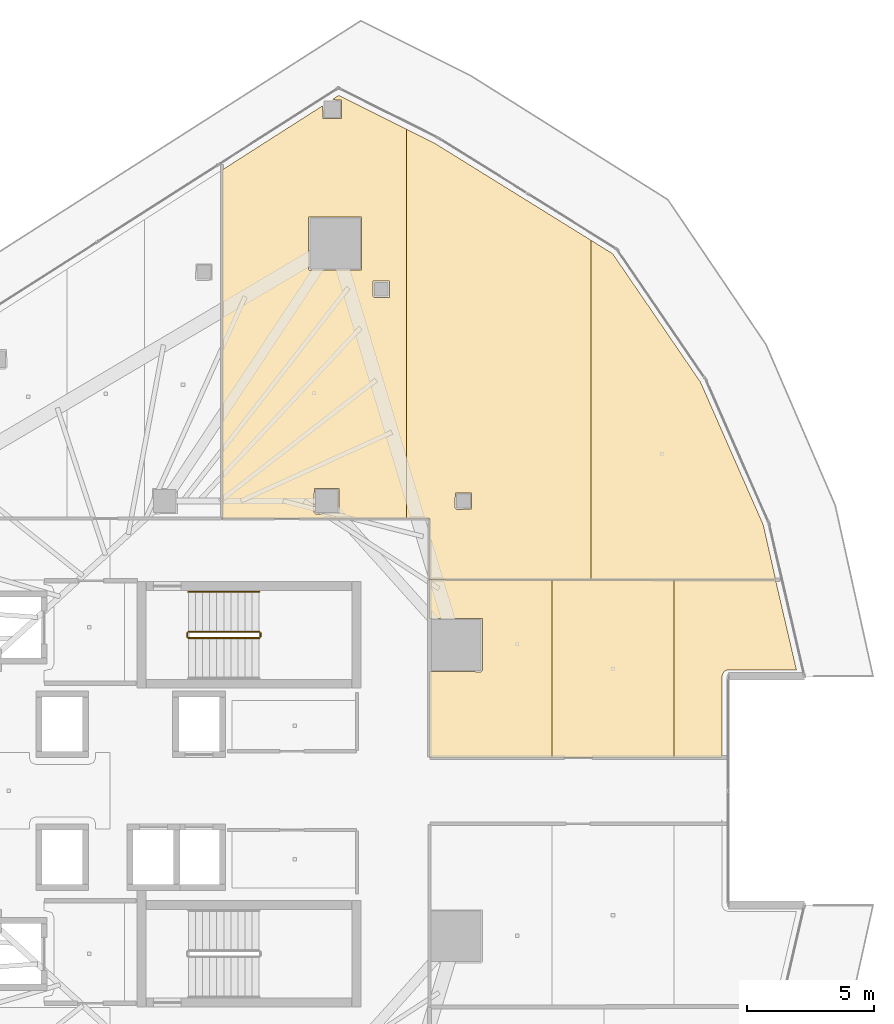
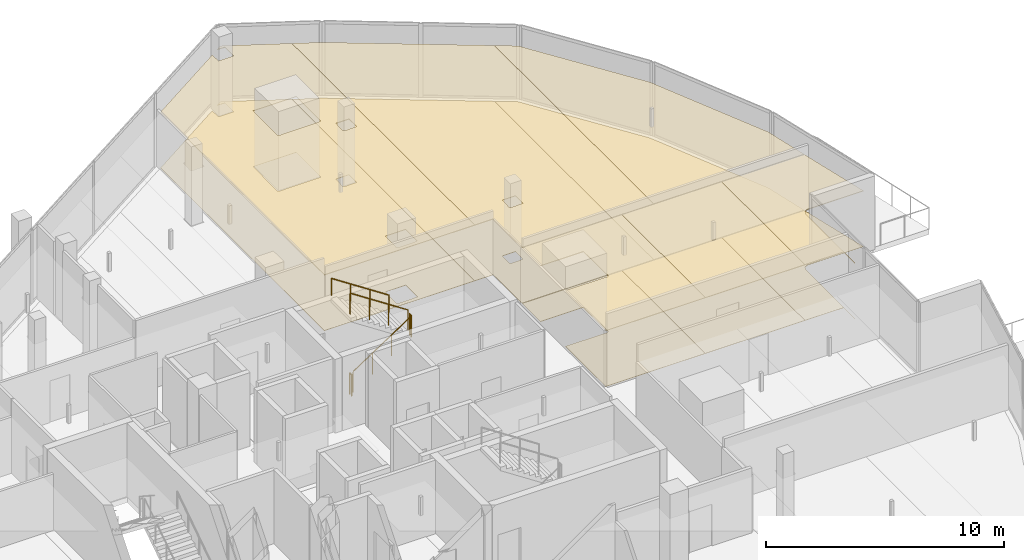
# One storey, part 36 of 36: 12 coverings, 5 railings.
"""IFC4 building model written with IfcOpenShell, lengths in metres."""

from ifc_helpers import new_model, si_unit, direction, frame, origin, origin_2d, place, context, subcontext, project, spatial, polyline, circle, outline, extrude, material, layer, layer_set, type_object, element, save


model = new_model("IFC4")

# Units and contexts
model_context = context("Model", 3, precision=1e-05, world=origin(), true_north=direction((0.0, 1.0)))
body_context = subcontext(model_context, "Body", "Model", "MODEL_VIEW")
ifc_project = project(units=[si_unit("LENGTHUNIT", "METRE"), si_unit("AREAUNIT", "SQUARE_METRE"), si_unit("VOLUMEUNIT", "CUBIC_METRE"), si_unit("PLANEANGLEUNIT", "RADIAN"), si_unit("MASSUNIT", "GRAM", prefix="KILO")], contexts=[model_context])

# Site, building, storey
site_placement = place(None, origin())
site = spatial("IfcSite", under=ifc_project, at=site_placement, CompositionType="ELEMENT")
building_placement = place(site_placement, origin())
building = spatial("IfcBuilding", under=site, at=building_placement, Name="Qorvath Tower", CompositionType="ELEMENT")
storey_placement = place(building_placement, frame((0.0, 0.0, 205.050048828125)))
storey = spatial("IfcBuildingStorey", under=building, at=storey_placement, Name="L47", CompositionType="ELEMENT", Elevation=205.050048828125)

# Coverings
ifc_material_1 = material(Name="Acoustic mineral fibre ceiling tile", Category="gypsum")
ifc_layer_1 = layer(ifc_material_1, 0.030029296875)
ifc_layer_set_1 = layer_set([ifc_layer_1], Name="COV-CEIL")
covering_type_1 = type_object("IfcCoveringType", Name="COV-CEIL", PredefinedType="CEILING", material=ifc_layer_set_1)
covering_1_placement = place(storey_placement, frame((0.0, 0.0, 2.849853515625)))
element("IfcCovering", 1, at=covering_1_placement, inside=storey, type_object=covering_type_1, Name="L47 Suspended Acoustic Ceiling 015", PredefinedType="CEILING", context=body_context, shape_type="SweptSolid", body=[
    extrude(outline(polyline([(-14.041015625, 10.762939453125), (-14.041015625, 26.135009765625), (-16.7275390625, 27.478271484375), (-16.984130859375, 27.314208984375), (-16.61376953125, 27.296630859375), (-16.61376953125, 26.561767578125), (-17.3486328125, 26.561767578125), (-17.3662109375, 27.070068359375), (-21.3330078125, 24.53466796875), (-21.3330078125, 10.762939453125), (-14.041015625, 10.762939453125)]), holes=[polyline([(-15.381103515625, 19.543212890625), (-15.363525390625, 20.135498046875), (-14.728759765625, 20.135498046875), (-14.728759765625, 19.500732421875), (-15.321044921875, 19.483154296875), (-15.381103515625, 19.543212890625)]), polyline([(-17.931640625, 20.627197265625), (-17.9140625, 22.66943359375), (-15.829345703125, 22.66943359375), (-15.829345703125, 20.584716796875), (-17.87158203125, 20.567138671875), (-17.931640625, 20.627197265625)]), polyline([(-17.7099609375, 11.0), (-17.6923828125, 11.9423828125), (-16.70751953125, 11.9423828125), (-16.70751953125, 10.95751953125), (-17.64990234375, 10.93994140625), (-17.7099609375, 11.0)])]), origin(), (0.0, 0.0, 1.0), 0.030029296875),
])
covering_2_placement = place(storey_placement, frame((0.0, 0.0, 2.849853515625)))
element("IfcCovering", 2, at=covering_2_placement, inside=storey, type_object=covering_type_1, Name="L47 Suspended Acoustic Ceiling 016", PredefinedType="CEILING", context=body_context, shape_type="SweptSolid", body=[
    extrude(outline(polyline([(-6.749267578125, 8.347412109375), (-6.749267578125, 21.748779296875), (-12.900390625, 25.564697265625), (-14.041015625, 26.135009765625), (-14.041015625, 10.762939453125), (-13.14208984375, 10.762939453125), (-13.136962890625, 8.35498046875), (-6.749267578125, 8.347412109375)]), holes=[polyline([(-12.135009765625, 11.175048828125), (-12.117431640625, 11.767333984375), (-11.482666015625, 11.767333984375), (-11.482666015625, 11.132568359375), (-12.074951171875, 11.114990234375), (-12.135009765625, 11.175048828125)])]), origin(), (0.0, 0.0, 1.0), 0.030029296875),
])
covering_3_placement = place(storey_placement, frame((0.0, 0.0, 2.849853515625)))
element("IfcCovering", 3, at=covering_3_placement, inside=storey, type_object=covering_type_1, Name="L47 Suspended Acoustic Ceiling 017", PredefinedType="CEILING", context=body_context, shape_type="SweptSolid", body=[
    extrude(outline(polyline([(0.542724609375, 8.33837890625), (0.0537109375, 10.499267578125), (-2.42919921875, 16.149169921875), (-5.899169921875, 21.221435546875), (-6.749267578125, 21.748779296875), (-6.749267578125, 8.347412109375), (0.542724609375, 8.33837890625)])), origin(), (0.0, 0.0, 1.0), 0.030029296875),
])
covering_4_placement = place(storey_placement, frame((0.0, 0.0, 2.849853515625)))
element("IfcCovering", 4, at=covering_4_placement, inside=storey, type_object=covering_type_1, Name="L47 Suspended Acoustic Ceiling 029", PredefinedType="CEILING", context=body_context, shape_type="SweptSolid", body=[
    extrude(outline(polyline([(-8.3037109375, 1.31298828125), (-8.3037109375, 8.3310546875), (-13.136962890625, 8.3369140625), (-13.136962890625, 6.80126953125), (-11.054443359375, 6.80029296875), (-11.036865234375, 4.7578125), (-11.0966796875, 4.697998046875), (-13.136962890625, 4.714599609375), (-13.136962890625, 1.31298828125), (-8.3037109375, 1.31298828125)])), origin(), (0.0, 0.0, 1.0), 0.030029296875),
])
covering_5_placement = place(storey_placement, frame((0.0, 0.0, 2.849853515625)))
element("IfcCovering", 5, at=covering_5_placement, inside=storey, type_object=covering_type_1, Name="L47 Suspended Acoustic Ceiling 030", PredefinedType="CEILING", context=body_context, shape_type="SweptSolid", body=[
    extrude(outline(polyline([(-3.47021484375, 1.31298828125), (-3.47021484375, 8.325439453125), (-8.3037109375, 8.3310546875), (-8.3037109375, 1.31298828125), (-3.47021484375, 1.31298828125)])), origin(), (0.0, 0.0, 1.0), 0.030029296875),
])
covering_6_placement = place(storey_placement, frame((0.0, 0.0, 2.849853515625)))
element("IfcCovering", 6, at=covering_6_placement, inside=storey, type_object=covering_type_1, Name="L47 Suspended Acoustic Ceiling 031", PredefinedType="CEILING", context=body_context, shape_type="SweptSolid", body=[
    extrude(outline(polyline([(-1.50830078125, 4.700927734375), (-1.3779296875, 4.77001953125), (1.363037109375, 4.77490234375), (0.539306640625, 8.320556640625), (-3.47021484375, 8.325439453125), (-3.47021484375, 1.31298828125), (-1.60107421875, 1.31298828125), (-1.59033203125, 0.375), (-1.583984375, 4.519775390625), (-1.50830078125, 4.700927734375)])), origin(), (0.0, 0.0, 1.0), 0.030029296875),
])
ifc_material_2 = material(Name="Low-VOC modular carpet tile", Category="textile")
ifc_layer_2 = layer(ifc_material_2, 0.014892578125)
ifc_layer_set_2 = layer_set([ifc_layer_2], Name="COV-FLOOR-CPT")
covering_type_2 = type_object("IfcCoveringType", Name="COV-FLOOR-CPT", PredefinedType="FLOORING", material=ifc_layer_set_2)
covering_7_placement = place(storey_placement, origin())
element("IfcCovering", 7, at=covering_7_placement, inside=storey, type_object=covering_type_2, Name="L47 Floor Finish 015", PredefinedType="FLOORING", context=body_context, shape_type="SweptSolid", body=[
    extrude(outline(polyline([(-14.041015625, 10.762939453125), (-14.041015625, 26.135009765625), (-16.7275390625, 27.478271484375), (-16.984130859375, 27.314208984375), (-16.61376953125, 27.296630859375), (-16.61376953125, 26.561767578125), (-17.3486328125, 26.561767578125), (-17.3662109375, 27.070068359375), (-21.3330078125, 24.53466796875), (-21.3330078125, 10.762939453125), (-14.041015625, 10.762939453125)]), holes=[polyline([(-15.381103515625, 19.543212890625), (-15.363525390625, 20.135498046875), (-14.728759765625, 20.135498046875), (-14.728759765625, 19.500732421875), (-15.321044921875, 19.483154296875), (-15.381103515625, 19.543212890625)]), polyline([(-17.931640625, 20.627197265625), (-17.9140625, 22.66943359375), (-15.829345703125, 22.66943359375), (-15.829345703125, 20.584716796875), (-17.87158203125, 20.567138671875), (-17.931640625, 20.627197265625)]), polyline([(-17.7099609375, 11.0), (-17.6923828125, 11.9423828125), (-16.70751953125, 11.9423828125), (-16.70751953125, 10.95751953125), (-17.64990234375, 10.93994140625), (-17.7099609375, 11.0)])]), origin(), (0.0, 0.0, 1.0), 0.014892578125),
])
covering_8_placement = place(storey_placement, origin())
element("IfcCovering", 8, at=covering_8_placement, inside=storey, type_object=covering_type_2, Name="L47 Floor Finish 016", PredefinedType="FLOORING", context=body_context, shape_type="SweptSolid", body=[
    extrude(outline(polyline([(-6.749267578125, 8.347412109375), (-6.749267578125, 21.748779296875), (-12.900390625, 25.564697265625), (-14.041015625, 26.135009765625), (-14.041015625, 10.762939453125), (-13.14208984375, 10.762939453125), (-13.136962890625, 8.35498046875), (-6.749267578125, 8.347412109375)]), holes=[polyline([(-12.135009765625, 11.175048828125), (-12.117431640625, 11.767333984375), (-11.482666015625, 11.767333984375), (-11.482666015625, 11.132568359375), (-12.074951171875, 11.114990234375), (-12.135009765625, 11.175048828125)])]), origin(), (0.0, 0.0, 1.0), 0.014892578125),
])
covering_9_placement = place(storey_placement, origin())
element("IfcCovering", 9, at=covering_9_placement, inside=storey, type_object=covering_type_2, Name="L47 Floor Finish 017", PredefinedType="FLOORING", context=body_context, shape_type="SweptSolid", body=[
    extrude(outline(polyline([(0.542724609375, 8.33837890625), (0.0537109375, 10.499267578125), (-2.42919921875, 16.149169921875), (-5.899169921875, 21.221435546875), (-6.749267578125, 21.748779296875), (-6.749267578125, 8.347412109375), (0.542724609375, 8.33837890625)])), origin(), (0.0, 0.0, 1.0), 0.014892578125),
])
covering_10_placement = place(storey_placement, origin())
element("IfcCovering", 10, at=covering_10_placement, inside=storey, type_object=covering_type_2, Name="L47 Floor Finish 029", PredefinedType="FLOORING", context=body_context, shape_type="SweptSolid", body=[
    extrude(outline(polyline([(-8.3037109375, 1.31298828125), (-8.3037109375, 8.3310546875), (-13.136962890625, 8.3369140625), (-13.136962890625, 6.80126953125), (-11.054443359375, 6.80029296875), (-11.036865234375, 4.7578125), (-11.0966796875, 4.697998046875), (-13.136962890625, 4.714599609375), (-13.136962890625, 1.31298828125), (-8.3037109375, 1.31298828125)])), origin(), (0.0, 0.0, 1.0), 0.014892578125),
])
covering_11_placement = place(storey_placement, origin())
element("IfcCovering", 11, at=covering_11_placement, inside=storey, type_object=covering_type_2, Name="L47 Floor Finish 030", PredefinedType="FLOORING", context=body_context, shape_type="SweptSolid", body=[
    extrude(outline(polyline([(-3.47021484375, 1.31298828125), (-3.47021484375, 8.325439453125), (-8.3037109375, 8.3310546875), (-8.3037109375, 1.31298828125), (-3.47021484375, 1.31298828125)])), origin(), (0.0, 0.0, 1.0), 0.014892578125),
])
covering_12_placement = place(storey_placement, origin())
element("IfcCovering", 12, at=covering_12_placement, inside=storey, type_object=covering_type_2, Name="L47 Floor Finish 031", PredefinedType="FLOORING", context=body_context, shape_type="SweptSolid", body=[
    extrude(outline(polyline([(-1.50830078125, 4.700927734375), (-1.3779296875, 4.77001953125), (1.363037109375, 4.77490234375), (0.539306640625, 8.320556640625), (-3.47021484375, 8.325439453125), (-3.47021484375, 1.31298828125), (-1.60107421875, 1.31298828125), (-1.59033203125, 0.375), (-1.583984375, 4.519775390625), (-1.50830078125, 4.700927734375)])), origin(), (0.0, 0.0, 1.0), 0.014892578125),
])

# Railings
ifc_material_3 = material(Name="Painted galvanised steel", Category="steel")
railing_type_1 = type_object("IfcRailingType", Name="RL-STR-GRD", PredefinedType="GUARDRAIL", material=ifc_material_3)
railing_1_placement = place(storey_placement, frame((-22.669921875, 6.030029296875, 0.18408203125)))
element("IfcRailing", 13, at=railing_1_placement, inside=storey, type_object=railing_type_1, Name="L47 TS1 stair guard 1", PredefinedType="GUARDRAIL", context=body_context, shape_type="SweptSolid", body=[
    extrude(circle(Radius=0.02392578125, at=origin_2d()), frame((0.0, 0.0, 1.076171875), z_axis=(0.835575518608, 0.0, 0.549375602573), x_axis=(0.0, 1.0, 0.0)), (0.0, 0.0, 1.0), 3.350830078125),
    extrude(circle(Radius=0.02099609375, at=origin_2d()), origin(), (0.0, 0.0, 1.0), 1.052001953125),
    extrude(circle(Radius=0.02099609375, at=origin_2d()), frame((0.933349609375, 0.0, 0.613525390625)), (0.0, 0.0, 1.0), 1.052001953125),
    extrude(circle(Radius=0.02099609375, at=origin_2d()), frame((1.866455078125, 0.0, 1.227294921875)), (0.0, 0.0, 1.0), 1.052001953125),
    extrude(circle(Radius=0.02099609375, at=origin_2d()), frame((2.7998046875, 0.0, 1.8408203125)), (0.0, 0.0, 1.0), 1.052001953125),
])
railing_2_placement = place(storey_placement, frame((-19.820068359375, 6.080078125, 2.02490234375)))
element("IfcRailing", 14, at=railing_2_placement, inside=storey, type_object=railing_type_1, Name="L47 TS1 stair guard 2", PredefinedType="GUARDRAIL", context=body_context, shape_type="SweptSolid", body=[
    extrude(circle(Radius=0.02392578125, at=origin_2d()), frame((0.0, 0.0, 1.076171875), z_axis=(0.0, 1.0, 0.0), x_axis=(-1.0, 0.0, 0.0)), (0.0, 0.0, 1.0), 0.14990234375),
    extrude(circle(Radius=0.02099609375, at=origin_2d()), origin(), (0.0, 0.0, 1.0), 1.052001953125),
    extrude(circle(Radius=0.02099609375, at=origin_2d()), frame((0.0, 0.14990234375, 0.0)), (0.0, 0.0, 1.0), 1.052001953125),
])
railing_3_placement = place(storey_placement, frame((-19.8701171875, 6.280029296875, 2.208984375)))
element("IfcRailing", 15, at=railing_3_placement, inside=storey, type_object=railing_type_1, Name="L47 TS1 stair guard 3", PredefinedType="GUARDRAIL", context=body_context, shape_type="SweptSolid", body=[
    extrude(circle(Radius=0.02392578125, at=origin_2d()), frame((0.0, 0.0, 1.076171875), z_axis=(-0.835542071712, 0.0, 0.549426470421), x_axis=(0.0, -1.0, 0.0)), (0.0, 0.0, 1.0), 3.350830078125),
    extrude(circle(Radius=0.02099609375, at=origin_2d()), origin(), (0.0, 0.0, 1.0), 1.052001953125),
    extrude(circle(Radius=0.02099609375, at=origin_2d()), frame((-0.933349609375, 0.0, 0.61376953125)), (0.0, 0.0, 1.0), 1.052001953125),
    extrude(circle(Radius=0.02099609375, at=origin_2d()), frame((-1.866455078125, 0.0, 1.227294921875)), (0.0, 0.0, 1.0), 1.052001953125),
    extrude(circle(Radius=0.02099609375, at=origin_2d()), frame((-2.7998046875, 0.0, 1.841064453125)), (0.0, 0.0, 1.0), 1.052001953125),
])
railing_4_placement = place(storey_placement, frame((-22.719970703125, 6.080078125, 0.0)))
element("IfcRailing", 16, at=railing_4_placement, inside=storey, type_object=railing_type_1, Name="L47 TS1 stair guard 4", PredefinedType="GUARDRAIL", context=body_context, shape_type="SweptSolid", body=[
    extrude(circle(Radius=0.02392578125, at=origin_2d()), frame((0.0, 0.0, 1.076171875), z_axis=(0.0, 1.0, 0.0), x_axis=(-1.0, 0.0, 0.0)), (0.0, 0.0, 1.0), 0.14990234375),
    extrude(circle(Radius=0.02099609375, at=origin_2d()), origin(), (0.0, 0.0, 1.0), 1.052001953125),
    extrude(circle(Radius=0.02099609375, at=origin_2d()), frame((0.0, 0.14990234375, 0.0)), (0.0, 0.0, 1.0), 1.052001953125),
])
ifc_material_4 = material(Name="Brushed stainless steel AISI 304", Category="steel")
railing_type_2 = type_object("IfcRailingType", Name="RL-STR-HND", PredefinedType="HANDRAIL", material=ifc_material_4)
railing_5_placement = place(storey_placement, frame((-19.8701171875, 7.860107421875, 2.208984375)))
element("IfcRailing", 17, at=railing_5_placement, inside=storey, type_object=railing_type_2, Name="L47 TS1 stair handrail 2", PredefinedType="HANDRAIL", context=body_context, shape_type="SweptSolid", body=[
    extrude(circle(Radius=0.02392578125, at=origin_2d()), frame((0.0, 0.0, 0.8759765625), z_axis=(-0.835542071712, 0.0, 0.549426470421), x_axis=(0.0, -1.0, 0.0)), (0.0, 0.0, 1.0), 3.350830078125),
    extrude(circle(Radius=0.02099609375, at=origin_2d()), origin(), (0.0, 0.0, 1.0), 0.851806640625),
    extrude(circle(Radius=0.02099609375, at=origin_2d()), frame((-0.933349609375, 0.0, 0.61376953125)), (0.0, 0.0, 1.0), 0.851806640625),
    extrude(circle(Radius=0.02099609375, at=origin_2d()), frame((-1.866455078125, 0.0, 1.227294921875)), (0.0, 0.0, 1.0), 0.851806640625),
    extrude(circle(Radius=0.02099609375, at=origin_2d()), frame((-2.7998046875, 0.0, 1.841064453125)), (0.0, 0.0, 1.0), 0.851806640625),
])

save(model, "model.ifc")
